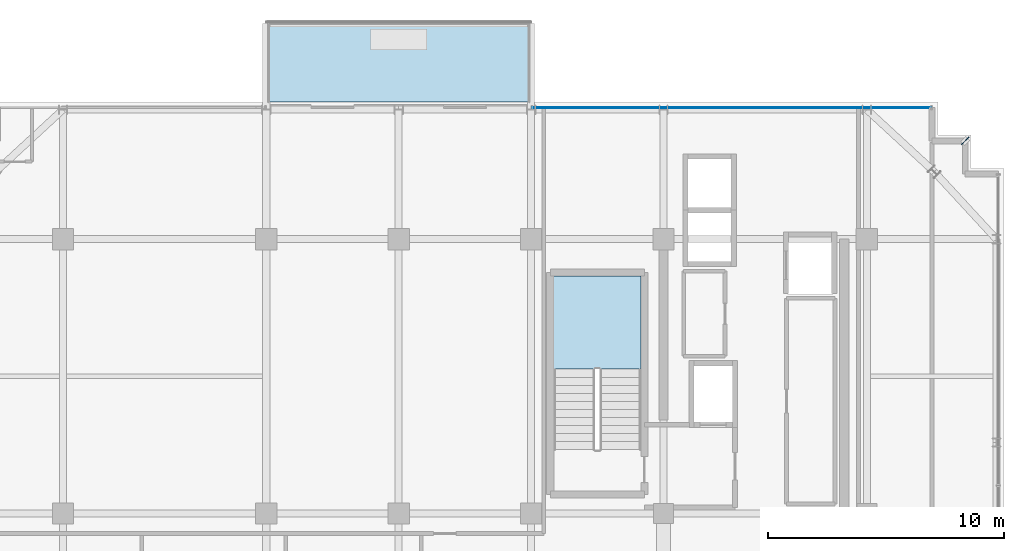
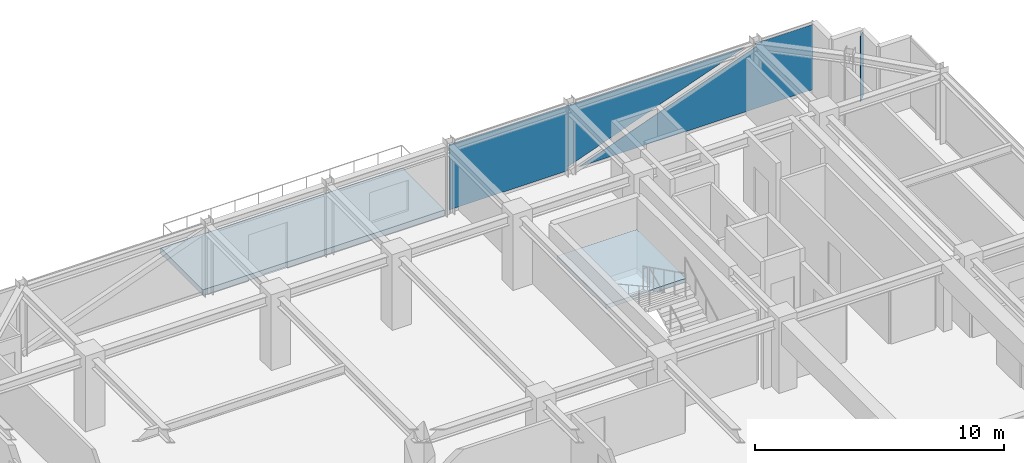
# One storey, part 29 of 36: 2 plates, 2 slabs, 2 elements without a shape of their own.
"""IFC4 building model written with IfcOpenShell, lengths in metres."""

from ifc_helpers import new_model, si_unit, direction, frame, origin, origin_2d, place, context, subcontext, project, spatial, polyline, rectangle, outline, extrude, source, transform, mapped, material, layer, layer_set, type_object, element, aggregate, save


model = new_model("IFC4")

# Units and contexts
model_context = context("Model", 3, precision=1e-05, world=origin(), true_north=direction((0.0, 1.0)))
body_context = subcontext(model_context, "Body", "Model", "MODEL_VIEW")
ifc_project = project(units=[si_unit("LENGTHUNIT", "METRE"), si_unit("AREAUNIT", "SQUARE_METRE"), si_unit("VOLUMEUNIT", "CUBIC_METRE"), si_unit("PLANEANGLEUNIT", "RADIAN"), si_unit("MASSUNIT", "GRAM", prefix="KILO")], contexts=[model_context])

# Site, building, storey
site_placement = place(None, origin())
site = spatial("IfcSite", under=ifc_project, at=site_placement, CompositionType="ELEMENT")
building_placement = place(site_placement, origin())
building = spatial("IfcBuilding", under=site, at=building_placement, Name="Nahalor Promenade Grand Hotel", CompositionType="ELEMENT")
storey_placement = place(building_placement, frame((0.0, 0.0, 273.800048828125)))
storey = spatial("IfcBuildingStorey", under=building, at=storey_placement, Name="L70", CompositionType="ELEMENT", Elevation=273.800048828125)

# Curtain wall, plate
ifc_material_1 = material(Name="Anodised Bronze Aluminium EN AW-6063 T6", Category="aluminium")
curtain_wall_type = type_object("IfcCurtainWallType", Name="CW2 Typical Hotel Flush Bronze Unitised Curtain Wall", PredefinedType="USERDEFINED", material=ifc_material_1)
curtain_wall_placement = place(storey_placement, origin())
curtain_wall = element("IfcCurtainWall", 1, at=curtain_wall_placement, inside=storey, type_object=curtain_wall_type, Name="L70 Curtain Wall CW-L70-N-3", ObjectType="UNITISED_CURTAIN_WALL", PredefinedType="USERDEFINED")
ifc_material_2 = material(Name="Low-E Laminated Solar Glass", Category="glass")
ifc_layer_1 = layer(ifc_material_2, 0.028076171875)
ifc_layer_set_1 = layer_set([ifc_layer_1], Name="Low-E Laminated Solar Glass")
plate_type_1 = type_object("IfcPlateType", Name="CWP2 Bronze Low-E Vision IGU 28mm", PredefinedType="CURTAIN_PANEL", material=ifc_layer_set_1)
plate_1_placement = place(storey_placement, frame((11.280029296875, 22.56005859375, 0.1298828125), z_axis=(0.0, 0.0, 1.0), x_axis=(1.0, 0.0, 0.0)))
plate_1 = element("IfcPlate", 2, at=plate_1_placement, type_object=plate_type_1, Name="CW-L70-N-3 Glazing Panel 0-0", PredefinedType="CURTAIN_PANEL", context=body_context, shape_type="SweptSolid", body=[
    extrude(outline(polyline([(-8.4150390625, 3.18994140625), (-8.4150390625, 0.0), (-2.8994140625, 0.0), (-2.963623046875, 0.17578125), (5.265869140625, 3.18994140625), (-8.4150390625, 3.18994140625)])), frame((0.0, 0.01416015625, 0.0), z_axis=(0.0, -1.0, 0.0), x_axis=(1.0, 0.0, 0.0)), (0.0, 0.0, 1.0), 0.028076171875),
    extrude(outline(polyline([(8.4150390625, 0.0), (8.4150390625, 3.18994140625), (5.7392578125, 3.18994140625), (5.8037109375, 3.01416015625), (-2.42578125, 0.0), (8.4150390625, 0.0)])), frame((0.0, 0.01416015625, 0.0), z_axis=(0.0, -1.0, 0.0), x_axis=(1.0, 0.0, 0.0)), (0.0, 0.0, 1.0), 0.028076171875),
])
aggregate(curtain_wall, [plate_1])

# Stair, slab
ifc_material_3 = material(Name="Concrete B-50 (C40/50)", Category="concrete")
stair_type = type_object("IfcStairType", Name="Stair-ST1", PredefinedType="HALF_TURN_STAIR", material=ifc_material_3)
stair_placement = place(storey_placement, origin())
stair = element("IfcStair", 3, at=stair_placement, inside=storey, type_object=stair_type, Name="L70 ST1", PredefinedType="HALF_TURN_STAIR")
ifc_layer_2 = layer(ifc_material_3, 0.199951171875)
ifc_layer_set_2 = layer_set([ifc_layer_2], Name="Concrete B-50 (C40/50)")
slab_type_1 = type_object("IfcSlabType", Name="Landing-ST1", PredefinedType="LANDING", material=ifc_layer_set_2)
slab_1_placement = place(storey_placement, frame((0.0, 0.0, 1.675048828125)))
slab_1 = element("IfcSlab", 4, at=slab_1_placement, type_object=slab_type_1, Name="ST1 landing 1", PredefinedType="LANDING", context=body_context, shape_type="SweptSolid", body=[
    extrude(outline(polyline([(7.449951171875, 11.5), (7.449951171875, 15.449951171875), (3.75, 15.449951171875), (3.75, 11.5), (7.449951171875, 11.5)])), origin(), (0.0, 0.0, 1.0), 0.199951171875),
])
aggregate(stair, [slab_1])

# Slab
ifc_layer_3 = layer(ifc_material_3, 0.280029296875)
ifc_layer_set_3 = layer_set([ifc_layer_3], Name="Concrete B-50 (C40/50)")
slab_type_2 = type_object("IfcSlabType", Name="Slab-Balcony-280", PredefinedType="FLOOR", material=ifc_layer_set_3)
slab_2_placement = place(storey_placement, frame((0.0, 0.0, -0.280029296875)))
element("IfcSlab", 5, at=slab_2_placement, inside=storey, type_object=slab_type_2, Name="L70 Cantilevered Planted Balcony 1", PredefinedType="FLOOR", context=body_context, shape_type="SweptSolid", body=[
    extrude(outline(polyline([(-8.39990234375, 22.800048828125), (2.800048828125, 22.800048828125), (2.800048828125, 26.199951171875), (-8.39990234375, 26.199951171875), (-8.39990234375, 22.800048828125)])), origin(), (0.0, 0.0, 1.0), 0.280029296875),
])

# Plate
ifc_layer_4 = layer(ifc_material_1, 0.02001953125)
ifc_layer_set_4 = layer_set([ifc_layer_4], Name="Anodised Bronze Aluminium EN AW-6063 T6")
plate_type_2 = type_object("IfcPlateType", Name="Plate-CornerFin-20", PredefinedType="SHEET", material=ifc_layer_set_4)
shared_shape = source(origin(), body_context, "Body", "SweptSolid", [
    extrude(rectangle(XDim=0.449951171875, YDim=0.02001953125, at=origin_2d()), origin(), (0.0, 0.0, 1.0), 3.199951171875),
])
plate_2_placement = place(storey_placement, frame((21.159912109375, 21.159912109375, 0.0), z_axis=(0.0, 0.0, 1.0), x_axis=(0.707106781187, 0.707106781187, 0.0)))
element("IfcPlate", 6, at=plate_2_placement, inside=storey, type_object=plate_type_2, Name="FIN-L70-NE", PredefinedType="SHEET", context=body_context, shape_type="MappedRepresentation", body=[
    mapped(shared_shape, transform((0.0, 0.0, 0.0), scale=1.0)),
])

save(model, "model.ifc")
